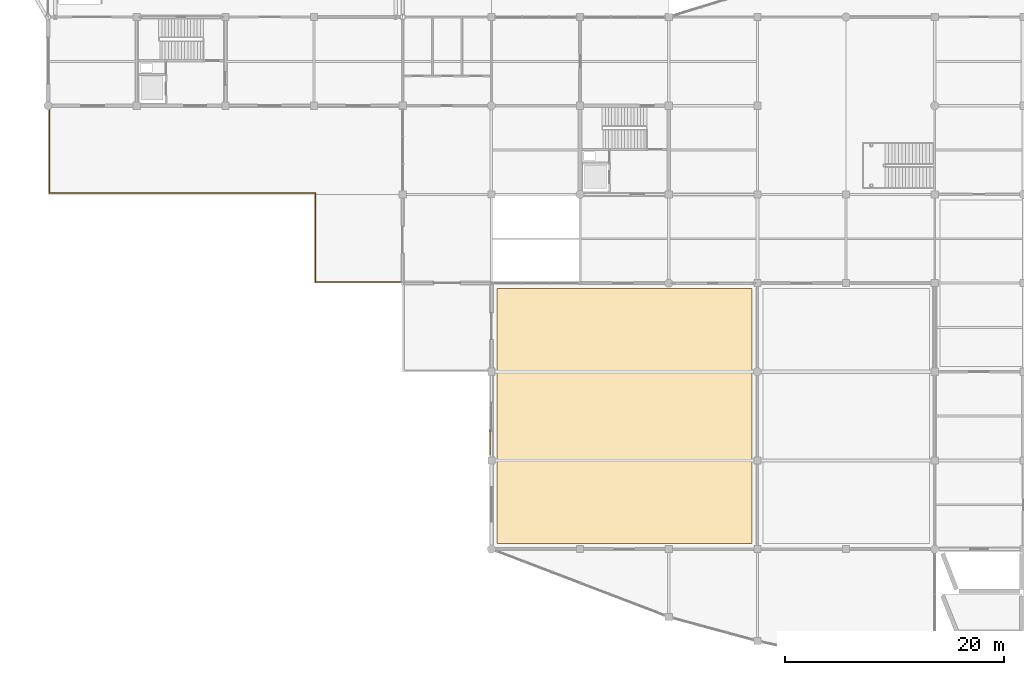
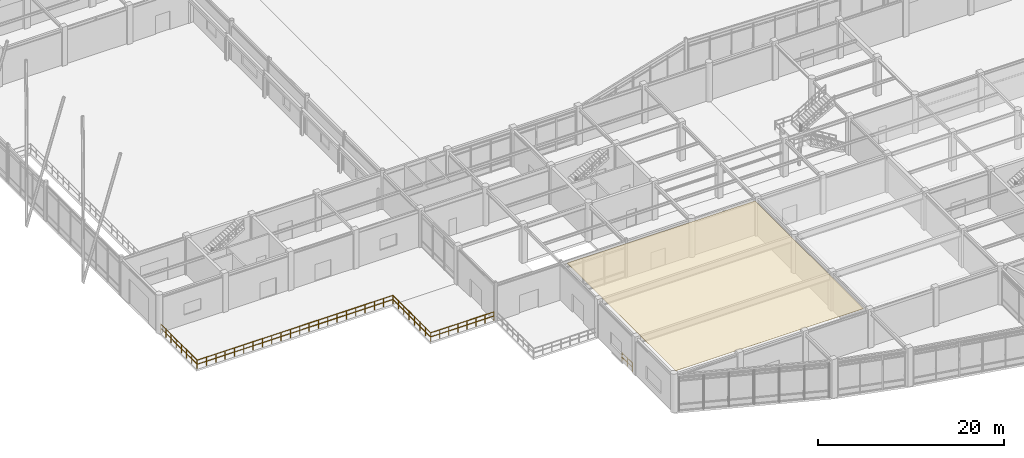
# One storey, part 86 of 99: 3 railings, 1 covering.
"""IFC4 building model written with IfcOpenShell, lengths in metres."""

import ifcopenshell
import ifcopenshell.guid

model = None  # the IFC model being written
_history = None  # IfcOwnerHistory: only IFC2X3 demands one
_inside = {}  # id of a spatial element -> (the spatial element, [elements in it])
_under = {}  # id of a project, library or spatial element -> (it, [spatial elements below it])
_declared = {}  # id of a project -> (the project, [libraries it declares])
_typed = {}  # id of a type object -> (the type object, [elements of that type])
_made_of = {}  # id of a material, layer set ... -> (it, [elements and type objects made of it])


def new_model(schema):
    """Start an empty IFC model of exactly this schema.

    Asked for "IFC4X3", IfcOpenShell would pick the latest addendum, in which some entities
    have other attributes; the version numbers below select the first issue.
    IFC2X3 requires an IfcOwnerHistory on every rooted entity: one is made here for all.
    """
    global model, _history
    if schema == "IFC4X3":
        model = ifcopenshell.file(schema_version=(4, 3, 0, 0))
    else:
        model = ifcopenshell.file(schema=schema)
    _inside.clear()
    _under.clear()
    _declared.clear()
    _typed.clear()
    _made_of.clear()
    _history = None
    if model.schema == "IFC2X3":
        org = make("IfcOrganization", Name="unknown")
        user = make(
            "IfcPersonAndOrganization",
            ThePerson=make("IfcPerson", FamilyName="unknown"),
            TheOrganization=org,
        )
        app = make(
            "IfcApplication",
            ApplicationDeveloper=org,
            Version="unknown",
            ApplicationFullName="unknown",
            ApplicationIdentifier="unknown",
        )
        _history = make(
            "IfcOwnerHistory",
            OwningUser=user,
            OwningApplication=app,
            ChangeAction="ADDED",
            CreationDate=0,
        )
    return model


def make(cls, **values):
    """One entity of the class cls with the attributes given. An attribute that is None is left unset."""
    return model.create_entity(
        cls, **{name: value for name, value in values.items() if value is not None}
    )


def rooted(cls, **values):
    """An entity with a GlobalId (a new one), such as an element, a storey or a relation."""
    return make(cls, GlobalId=ifcopenshell.guid.new(), OwnerHistory=_history, **values)


def si_unit(unit_type, name, prefix=None):
    """IfcSIUnit, for example si_unit("LENGTHUNIT", "METRE", prefix="MILLI")."""
    return make("IfcSIUnit", UnitType=unit_type, Prefix=prefix, Name=name)


def assignment(units):
    """IfcUnitAssignment: the units of a project."""
    return None if units is None else make("IfcUnitAssignment", Units=units)


def point(xyz):
    """IfcCartesianPoint."""
    return None if xyz is None else make("IfcCartesianPoint", Coordinates=xyz)


def direction(xyz):
    """IfcDirection."""
    return None if xyz is None else make("IfcDirection", DirectionRatios=xyz)


def frame(location, z_axis=None, x_axis=None):
    """IfcAxis2Placement3D, a coordinate frame: its origin and axes. An axis left out is left unset."""
    return make(
        "IfcAxis2Placement3D",
        Location=point(location),
        Axis=direction(z_axis),
        RefDirection=direction(x_axis),
    )


def frame_2d(location, x_axis=None):
    """IfcAxis2Placement2D, a coordinate frame in the plane: its origin and x axis."""
    return make(
        "IfcAxis2Placement2D", Location=point(location), RefDirection=direction(x_axis)
    )


def origin():
    """The frame at (0, 0, 0) with its axes left unset."""
    return frame((0.0, 0.0, 0.0))


def origin_2d():
    """The frame at (0, 0) in the plane with its x axis left unset."""
    return frame_2d((0.0, 0.0))


def place(relative_to, where):
    """IfcLocalPlacement: puts the frame where relative to a parent placement (None: the world)."""
    return make(
        "IfcLocalPlacement", PlacementRelTo=relative_to, RelativePlacement=where
    )


def context(
    kind, dimensions, precision=None, world=None, true_north=None, identifier=None
):
    """IfcGeometricRepresentationContext, for example the 3D "Model" context."""
    return make(
        "IfcGeometricRepresentationContext",
        ContextIdentifier=identifier,
        ContextType=kind,
        CoordinateSpaceDimension=dimensions,
        Precision=precision,
        WorldCoordinateSystem=world,
        TrueNorth=true_north,
    )


def subcontext(parent, identifier, kind, view, scale=None):
    """IfcGeometricRepresentationSubContext, for example "Body" below "Model"."""
    return make(
        "IfcGeometricRepresentationSubContext",
        ContextIdentifier=identifier,
        ContextType=kind,
        ParentContext=parent,
        TargetScale=scale,
        TargetView=view,
    )


def project(units=None, contexts=None):
    """IfcProject with its units and contexts."""
    return rooted(
        "IfcProject",
        Name="project",
        RepresentationContexts=contexts,
        UnitsInContext=assignment(units),
    )


def spatial(cls, under=None, at=None, **own):
    """A site, building, storey or space (cls), placed at a placement, below another one or the project."""
    s = rooted(cls, ObjectPlacement=at, **own)
    if under is not None:
        _under.setdefault(under.id(), (under, []))[1].append(s)
    return s


def polyline(points):
    """IfcPolyline through the points."""
    return make("IfcPolyline", Points=[point(p) for p in points])


def profile(cls, at=None, kind="AREA", **sizes):
    """A parametric profile (cls). Its sizes go by their IFC names, for example OverallWidth=200.0."""
    return make(cls, ProfileType=kind, Position=at, **sizes)


def circle(**sizes):
    """IfcCircleProfileDef."""
    return profile("IfcCircleProfileDef", **sizes)


def outline(outer, holes=None, kind="AREA"):
    """IfcArbitraryClosedProfileDef: a profile drawn as a closed curve; with holes, ...WithVoids."""
    if holes is None:
        return make("IfcArbitraryClosedProfileDef", ProfileType=kind, OuterCurve=outer)
    return make(
        "IfcArbitraryProfileDefWithVoids",
        ProfileType=kind,
        OuterCurve=outer,
        InnerCurves=holes,
    )


def extrude(swept, where, along, depth):
    """IfcExtrudedAreaSolid: the profile swept, set in the frame where, extruded along a direction by depth."""
    return make(
        "IfcExtrudedAreaSolid",
        SweptArea=swept,
        Position=where,
        ExtrudedDirection=direction(along),
        Depth=depth,
    )


def shape(context_of_items, identifier, shape_type, items):
    """IfcShapeRepresentation: the items that make up one representation, for example the "Body"."""
    return make(
        "IfcShapeRepresentation",
        ContextOfItems=context_of_items,
        RepresentationIdentifier=identifier,
        RepresentationType=shape_type,
        Items=items,
    )


def material(Name=None, Category=None):
    """IfcMaterial."""
    return make("IfcMaterial", Name=Name, Category=Category)


def layer(
    of_material, thickness, ventilated=None, Name=None, Category=None, Priority=None
):
    """IfcMaterialLayer: one layer of a wall or slab, of a material (None: an air gap)."""
    return make(
        "IfcMaterialLayer",
        Material=of_material,
        LayerThickness=thickness,
        IsVentilated=ventilated,
        Name=Name,
        Category=Category,
        Priority=Priority,
    )


def layer_set(layers, Name=None):
    """IfcMaterialLayerSet."""
    return make("IfcMaterialLayerSet", MaterialLayers=layers, LayerSetName=Name)


def made_of(thing, what):
    """Note that an element or type object is made of a material, layer set ...; save() writes the relation."""
    if what is not None:
        _made_of.setdefault(what.id(), (what, []))[1].append(thing)
    return thing


def type_object(cls, material=None, **own):
    """A type object (cls), such as IfcWallType, which elements share."""
    return made_of(rooted(cls, **own), material)


def element(
    cls,
    number,
    at=None,
    inside=None,
    cuts=None,
    type_object=None,
    material=None,
    context=None,
    identifier="Body",
    shape_type=None,
    held_by="IfcProductDefinitionShape",
    body=None,
    shapes=None,
    **own,
):
    """One element of the class cls, such as IfcWall. Its Tag is "e" and its number.

    at: its placement. inside: the storey or other place that contains it. cuts: it is an
    opening in that element (IfcRelVoidsElement). A single representation is given by context,
    identifier, shape_type and body (its items); several are given by shapes. held_by: the class
    of the entity that holds the representations. save() writes the other relations.
    """
    e = rooted(cls, Tag="e%d" % number, ObjectPlacement=at, **own)
    if body is not None:
        shapes = [shape(context, identifier, shape_type, body)]
    if shapes is not None:
        e.Representation = make(held_by, Representations=shapes)
    if inside is not None:
        _inside.setdefault(inside.id(), (inside, []))[1].append(e)
    if cuts is not None:
        rooted(
            "IfcRelVoidsElement", RelatingBuildingElement=cuts, RelatedOpeningElement=e
        )
    if type_object is not None:
        _typed.setdefault(type_object.id(), (type_object, []))[1].append(e)
    return made_of(e, material)


def aggregate(whole, parts):
    """IfcRelAggregates: a whole, such as a stair, and the parts it consists of."""
    return rooted("IfcRelAggregates", RelatingObject=whole, RelatedObjects=parts)


def save(model, path):
    """Write the relations noted so far, then the file.

    IfcRelAggregates (storeys below a building ...), IfcRelContainedInSpatialStructure (elements
    in a storey), IfcRelDefinesByType, IfcRelAssociatesMaterial and IfcRelDeclares: one each for
    every whole, place, type object, material and project.
    """
    for whole, parts in _under.values():
        aggregate(whole, parts)
    for where, things in _inside.values():
        rooted(
            "IfcRelContainedInSpatialStructure",
            RelatedElements=things,
            RelatingStructure=where,
        )
    for kind, things in _typed.values():
        rooted("IfcRelDefinesByType", RelatedObjects=things, RelatingType=kind)
    for what, things in _made_of.values():
        rooted("IfcRelAssociatesMaterial", RelatedObjects=things, RelatingMaterial=what)
    for by, libraries in _declared.values():
        rooted("IfcRelDeclares", RelatingContext=by, RelatedDefinitions=libraries)
    model.write(path)


model = new_model("IFC4")

# Units and contexts
model_context = context("Model", 3, precision=1e-05, world=origin(), true_north=direction((0.0, 1.0)))
body_context = subcontext(model_context, "Body", "Model", "MODEL_VIEW")
ifc_project = project(units=[si_unit("LENGTHUNIT", "METRE"), si_unit("AREAUNIT", "SQUARE_METRE"), si_unit("VOLUMEUNIT", "CUBIC_METRE"), si_unit("PLANEANGLEUNIT", "RADIAN"), si_unit("MASSUNIT", "GRAM", prefix="KILO")], contexts=[model_context])

# Site, building, storey
site_placement = place(None, origin())
site = spatial("IfcSite", under=ifc_project, at=site_placement, CompositionType="ELEMENT")
building_placement = place(site_placement, origin())
building = spatial("IfcBuilding", under=site, at=building_placement, Name="Vaudrelin Polytechnic", CompositionType="ELEMENT")
storey_placement = place(building_placement, origin())
storey = spatial("IfcBuildingStorey", under=building, at=storey_placement, Name="L00", CompositionType="ELEMENT", Elevation=0.0)

# Covering
ifc_material_1 = material(Name="Mineral-fibre acoustic ceiling tile NRC 0.85", Category="ceiling")
ifc_layer = layer(ifc_material_1, 0.02490234375)
ifc_layer_set = layer_set([ifc_layer], Name="Mineral-fibre acoustic ceiling tile NRC 0.85")
covering_type = type_object("IfcCoveringType", Name="COV-CLG-ACT", PredefinedType="CEILING", material=ifc_layer_set)
covering_placement = place(storey_placement, frame((0.0, 0.0, 4.794921875)))
element("IfcCovering", 1, at=covering_placement, inside=storey, type_object=covering_type, Name="Acoustic ceiling L00-008", PredefinedType="CEILING", context=body_context, shape_type="SweptSolid", body=[
    extrude(outline(polyline([(41.0, 0.5), (64.300048828125, 0.5), (64.300048828125, 23.800048828125), (41.0, 23.800048828125), (41.0, 0.5)])), origin(), (0.0, 0.0, 1.0), 0.025146484375),
])

# Railings
ifc_material_2 = material(Name="Stainless steel AISI 316L", Category="steel")
railing_type_1 = type_object("IfcRailingType", Name="ENV-GR-TER", PredefinedType="GUARDRAIL", material=ifc_material_2)
railing_1_placement = place(storey_placement, frame((0.1201171875, 32.52001953125, 0.0)))
element("IfcRailing", 2, at=railing_1_placement, inside=storey, type_object=railing_type_1, Name="Terrace guardrail GRD-FC-S", PredefinedType="GUARDRAIL", context=body_context, shape_type="SweptSolid", body=[
    extrude(circle(Radius=0.02392578125, at=origin_2d()), frame((0.023193359375, 0.0, 1.09619140625), z_axis=(1.0, 0.0, 0.0), x_axis=(0.0, 1.0, 0.0)), (0.0, 0.0, 1.0), 24.253662109375),
    extrude(circle(Radius=0.02392578125, at=origin_2d()), frame((0.023193359375, 0.0, 0.56005859375), z_axis=(1.0, 0.0, 0.0), x_axis=(0.0, 1.0, 0.0)), (0.0, 0.0, 1.0), 24.253662109375),
    extrude(circle(Radius=0.02392578125, at=origin_2d()), frame((24.2998046875, -0.023193359375, 1.09619140625), z_axis=(0.0, -1.0, 0.0), x_axis=(1.0, 0.0, 0.0)), (0.0, 0.0, 1.0), 8.053955078125),
    extrude(circle(Radius=0.02392578125, at=origin_2d()), frame((24.2998046875, -0.023193359375, 0.56005859375), z_axis=(0.0, -1.0, 0.0), x_axis=(1.0, 0.0, 0.0)), (0.0, 0.0, 1.0), 8.053955078125),
    extrude(circle(Radius=0.02392578125, at=origin_2d()), frame((24.322998046875, -8.10009765625, 1.09619140625), z_axis=(1.0, 0.0, 0.0), x_axis=(0.0, 1.0, 0.0)), (0.0, 0.0, 1.0), 7.81396484375),
    extrude(circle(Radius=0.02392578125, at=origin_2d()), frame((24.322998046875, -8.10009765625, 0.56005859375), z_axis=(1.0, 0.0, 0.0), x_axis=(0.0, 1.0, 0.0)), (0.0, 0.0, 1.0), 7.81396484375),
    extrude(circle(Radius=0.02099609375, at=origin_2d()), origin(), (0.0, 0.0, 1.0), 1.1201171875),
    extrude(circle(Radius=0.02099609375, at=origin_2d()), frame((1.1572265625, 0.0, 0.0)), (0.0, 0.0, 1.0), 1.1201171875),
    extrude(circle(Radius=0.02099609375, at=origin_2d()), frame((2.314208984375, 0.0, 0.0)), (0.0, 0.0, 1.0), 1.1201171875),
    extrude(circle(Radius=0.02099609375, at=origin_2d()), frame((3.471435546875, 0.0, 0.0)), (0.0, 0.0, 1.0), 1.1201171875),
    extrude(circle(Radius=0.02099609375, at=origin_2d()), frame((4.62841796875, 0.0, 0.0)), (0.0, 0.0, 1.0), 1.1201171875),
    extrude(circle(Radius=0.02099609375, at=origin_2d()), frame((5.78564453125, 0.0, 0.0)), (0.0, 0.0, 1.0), 1.1201171875),
    extrude(circle(Radius=0.02099609375, at=origin_2d()), frame((6.94287109375, 0.0, 0.0)), (0.0, 0.0, 1.0), 1.1201171875),
    extrude(circle(Radius=0.02099609375, at=origin_2d()), frame((8.099853515625, 0.0, 0.0)), (0.0, 0.0, 1.0), 1.1201171875),
    extrude(circle(Radius=0.02099609375, at=origin_2d()), frame((9.257080078125, 0.0, 0.0)), (0.0, 0.0, 1.0), 1.1201171875),
    extrude(circle(Radius=0.02099609375, at=origin_2d()), frame((10.414306640625, 0.0, 0.0)), (0.0, 0.0, 1.0), 1.1201171875),
    extrude(circle(Radius=0.02099609375, at=origin_2d()), frame((11.5712890625, 0.0, 0.0)), (0.0, 0.0, 1.0), 1.1201171875),
    extrude(circle(Radius=0.02099609375, at=origin_2d()), frame((12.728515625, 0.0, 0.0)), (0.0, 0.0, 1.0), 1.1201171875),
    extrude(circle(Radius=0.02099609375, at=origin_2d()), frame((13.885498046875, 0.0, 0.0)), (0.0, 0.0, 1.0), 1.1201171875),
    extrude(circle(Radius=0.02099609375, at=origin_2d()), frame((15.042724609375, 0.0, 0.0)), (0.0, 0.0, 1.0), 1.1201171875),
    extrude(circle(Radius=0.02099609375, at=origin_2d()), frame((16.199951171875, 0.0, 0.0)), (0.0, 0.0, 1.0), 1.1201171875),
    extrude(circle(Radius=0.02099609375, at=origin_2d()), frame((17.35693359375, 0.0, 0.0)), (0.0, 0.0, 1.0), 1.1201171875),
    extrude(circle(Radius=0.02099609375, at=origin_2d()), frame((18.51416015625, 0.0, 0.0)), (0.0, 0.0, 1.0), 1.1201171875),
    extrude(circle(Radius=0.02099609375, at=origin_2d()), frame((19.67138671875, 0.0, 0.0)), (0.0, 0.0, 1.0), 1.1201171875),
    extrude(circle(Radius=0.02099609375, at=origin_2d()), frame((20.828369140625, 0.0, 0.0)), (0.0, 0.0, 1.0), 1.1201171875),
    extrude(circle(Radius=0.02099609375, at=origin_2d()), frame((21.985595703125, 0.0, 0.0)), (0.0, 0.0, 1.0), 1.1201171875),
    extrude(circle(Radius=0.02099609375, at=origin_2d()), frame((23.142578125, 0.0, 0.0)), (0.0, 0.0, 1.0), 1.1201171875),
    extrude(circle(Radius=0.02099609375, at=origin_2d()), frame((24.2998046875, 0.0, 0.0)), (0.0, 0.0, 1.0), 1.1201171875),
    extrude(circle(Radius=0.02099609375, at=origin_2d()), frame((24.2998046875, -1.1572265625, 0.0)), (0.0, 0.0, 1.0), 1.1201171875),
    extrude(circle(Radius=0.02099609375, at=origin_2d()), frame((24.2998046875, -2.314208984375, 0.0)), (0.0, 0.0, 1.0), 1.1201171875),
    extrude(circle(Radius=0.02099609375, at=origin_2d()), frame((24.2998046875, -3.471435546875, 0.0)), (0.0, 0.0, 1.0), 1.1201171875),
    extrude(circle(Radius=0.02099609375, at=origin_2d()), frame((24.2998046875, -4.628662109375, 0.0)), (0.0, 0.0, 1.0), 1.1201171875),
    extrude(circle(Radius=0.02099609375, at=origin_2d()), frame((24.2998046875, -5.785888671875, 0.0)), (0.0, 0.0, 1.0), 1.1201171875),
    extrude(circle(Radius=0.02099609375, at=origin_2d()), frame((24.2998046875, -6.94287109375, 0.0)), (0.0, 0.0, 1.0), 1.1201171875),
    extrude(circle(Radius=0.02099609375, at=origin_2d()), frame((24.2998046875, -8.10009765625, 0.0)), (0.0, 0.0, 1.0), 1.1201171875),
    extrude(circle(Radius=0.02099609375, at=origin_2d()), frame((25.422607421875, -8.10009765625, 0.0)), (0.0, 0.0, 1.0), 1.1201171875),
    extrude(circle(Radius=0.02099609375, at=origin_2d()), frame((26.545654296875, -8.10009765625, 0.0)), (0.0, 0.0, 1.0), 1.1201171875),
    extrude(circle(Radius=0.02099609375, at=origin_2d()), frame((27.66845703125, -8.10009765625, 0.0)), (0.0, 0.0, 1.0), 1.1201171875),
    extrude(circle(Radius=0.02099609375, at=origin_2d()), frame((28.791259765625, -8.10009765625, 0.0)), (0.0, 0.0, 1.0), 1.1201171875),
    extrude(circle(Radius=0.02099609375, at=origin_2d()), frame((29.9140625, -8.10009765625, 0.0)), (0.0, 0.0, 1.0), 1.1201171875),
    extrude(circle(Radius=0.02099609375, at=origin_2d()), frame((31.037109375, -8.10009765625, 0.0)), (0.0, 0.0, 1.0), 1.1201171875),
    extrude(circle(Radius=0.02099609375, at=origin_2d()), frame((32.159912109375, -8.10009765625, 0.0)), (0.0, 0.0, 1.0), 1.1201171875),
])
railing_2_placement = place(storey_placement, frame((0.1201171875, 32.56005859375, 0.0)))
element("IfcRailing", 3, at=railing_2_placement, inside=storey, type_object=railing_type_1, Name="Terrace guardrail GRD-FC-W", PredefinedType="GUARDRAIL", context=body_context, shape_type="SweptSolid", body=[
    extrude(circle(Radius=0.02392578125, at=origin_2d()), frame((0.0, 0.023193359375, 1.09619140625), z_axis=(0.0, 1.0, 0.0), x_axis=(-1.0, 0.0, 0.0)), (0.0, 0.0, 1.0), 7.73388671875),
    extrude(circle(Radius=0.02392578125, at=origin_2d()), frame((0.0, 0.023193359375, 0.56005859375), z_axis=(0.0, 1.0, 0.0), x_axis=(-1.0, 0.0, 0.0)), (0.0, 0.0, 1.0), 7.73388671875),
    extrude(circle(Radius=0.02099609375, at=origin_2d()), origin(), (0.0, 0.0, 1.0), 1.1201171875),
    extrude(circle(Radius=0.02099609375, at=origin_2d()), frame((0.0, 1.111328125, 0.0)), (0.0, 0.0, 1.0), 1.1201171875),
    extrude(circle(Radius=0.02099609375, at=origin_2d()), frame((0.0, 2.222900390625, 0.0)), (0.0, 0.0, 1.0), 1.1201171875),
    extrude(circle(Radius=0.02099609375, at=origin_2d()), frame((0.0, 3.334228515625, 0.0)), (0.0, 0.0, 1.0), 1.1201171875),
    extrude(circle(Radius=0.02099609375, at=origin_2d()), frame((0.0, 4.44580078125, 0.0)), (0.0, 0.0, 1.0), 1.1201171875),
    extrude(circle(Radius=0.02099609375, at=origin_2d()), frame((0.0, 5.55712890625, 0.0)), (0.0, 0.0, 1.0), 1.1201171875),
    extrude(circle(Radius=0.02099609375, at=origin_2d()), frame((0.0, 6.668701171875, 0.0)), (0.0, 0.0, 1.0), 1.1201171875),
    extrude(circle(Radius=0.02099609375, at=origin_2d()), frame((0.0, 7.780029296875, 0.0)), (0.0, 0.0, 1.0), 1.1201171875),
])
ifc_material_3 = material(Name="Brushed stainless steel AISI 304", Category="steel")
railing_type_2 = type_object("IfcRailingType", Name="RAL-GR-INT", PredefinedType="GUARDRAIL", material=ifc_material_3)
railing_3_placement = place(storey_placement, frame((40.360107421875, 8.64990234375, 0.0)))
element("IfcRailing", 4, at=railing_3_placement, inside=storey, type_object=railing_type_2, Name="ST-FC1 upper well guardrail", PredefinedType="GUARDRAIL", context=body_context, shape_type="SweptSolid", body=[
    extrude(circle(Radius=0.02392578125, at=origin_2d()), frame((0.0, 0.023193359375, 1.09619140625), z_axis=(0.0, 1.0, 0.0), x_axis=(-1.0, 0.0, 0.0)), (0.0, 0.0, 1.0), 2.203857421875),
    extrude(circle(Radius=0.02392578125, at=origin_2d()), frame((0.0, 0.023193359375, 0.56005859375), z_axis=(0.0, 1.0, 0.0), x_axis=(-1.0, 0.0, 0.0)), (0.0, 0.0, 1.0), 2.203857421875),
    extrude(circle(Radius=0.02099609375, at=origin_2d()), origin(), (0.0, 0.0, 1.0), 1.1201171875),
    extrude(circle(Radius=0.02099609375, at=origin_2d()), frame((0.0, 1.125, 0.0)), (0.0, 0.0, 1.0), 1.1201171875),
    extrude(circle(Radius=0.02099609375, at=origin_2d()), frame((0.0, 2.25, 0.0)), (0.0, 0.0, 1.0), 1.1201171875),
])

save(model, "model.ifc")
